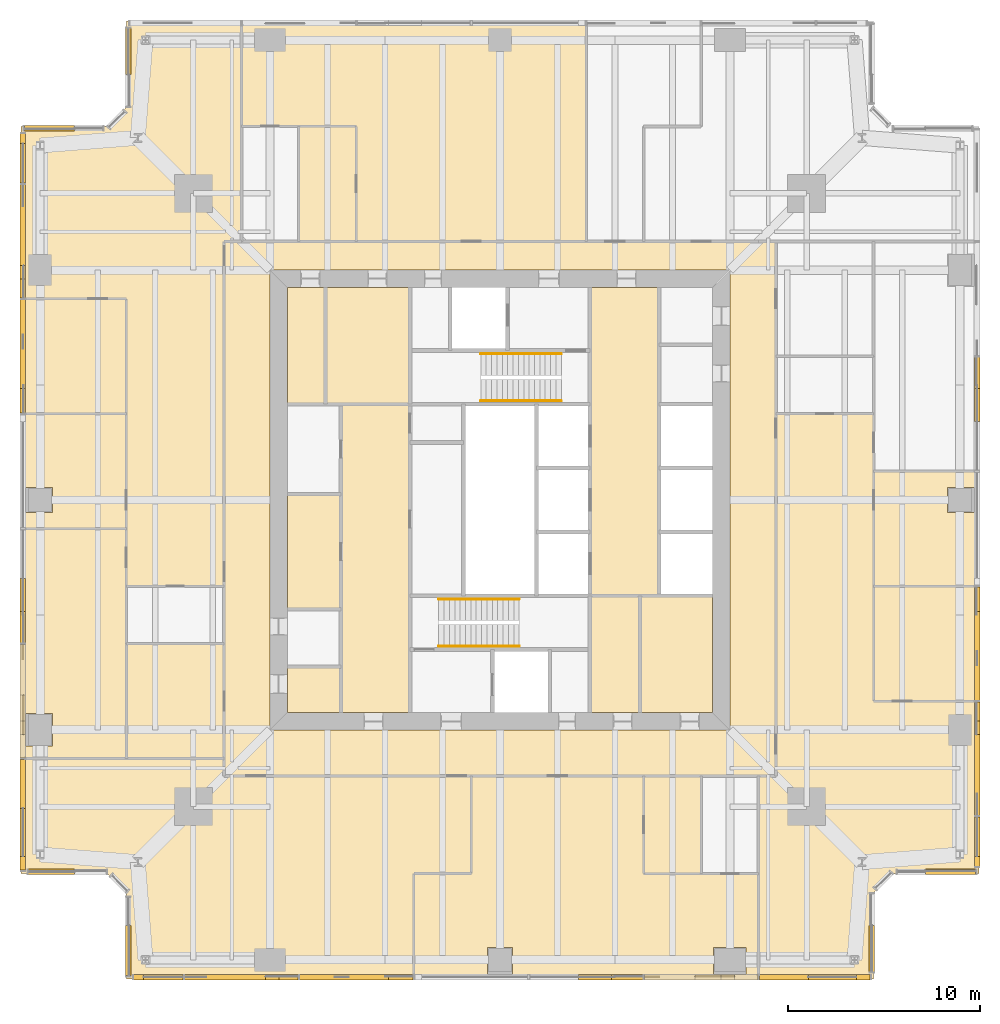
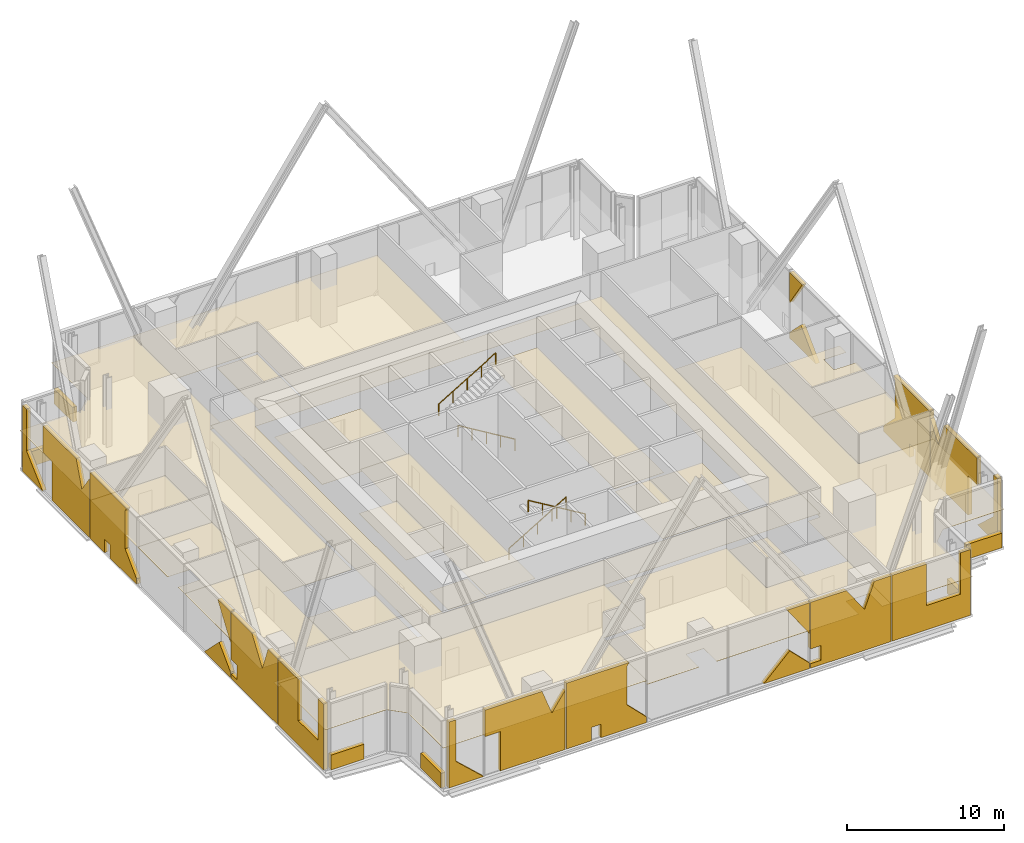
# One storey, part 13 of 14: 47 coverings, 4 railings.
"""IFC4 building model written with IfcOpenShell, lengths in metres."""

import ifcopenshell
import ifcopenshell.guid

model = None  # the IFC model being written
_history = None  # IfcOwnerHistory: only IFC2X3 demands one
_inside = {}  # id of a spatial element -> (the spatial element, [elements in it])
_under = {}  # id of a project, library or spatial element -> (it, [spatial elements below it])
_declared = {}  # id of a project -> (the project, [libraries it declares])
_typed = {}  # id of a type object -> (the type object, [elements of that type])
_made_of = {}  # id of a material, layer set ... -> (it, [elements and type objects made of it])


def new_model(schema):
    """Start an empty IFC model of exactly this schema.

    Asked for "IFC4X3", IfcOpenShell would pick the latest addendum, in which some entities
    have other attributes; the version numbers below select the first issue.
    IFC2X3 requires an IfcOwnerHistory on every rooted entity: one is made here for all.
    """
    global model, _history
    if schema == "IFC4X3":
        model = ifcopenshell.file(schema_version=(4, 3, 0, 0))
    else:
        model = ifcopenshell.file(schema=schema)
    _inside.clear()
    _under.clear()
    _declared.clear()
    _typed.clear()
    _made_of.clear()
    _history = None
    if model.schema == "IFC2X3":
        org = make("IfcOrganization", Name="unknown")
        user = make(
            "IfcPersonAndOrganization",
            ThePerson=make("IfcPerson", FamilyName="unknown"),
            TheOrganization=org,
        )
        app = make(
            "IfcApplication",
            ApplicationDeveloper=org,
            Version="unknown",
            ApplicationFullName="unknown",
            ApplicationIdentifier="unknown",
        )
        _history = make(
            "IfcOwnerHistory",
            OwningUser=user,
            OwningApplication=app,
            ChangeAction="ADDED",
            CreationDate=0,
        )
    return model


def make(cls, **values):
    """One entity of the class cls with the attributes given. An attribute that is None is left unset."""
    return model.create_entity(
        cls, **{name: value for name, value in values.items() if value is not None}
    )


def rooted(cls, **values):
    """An entity with a GlobalId (a new one), such as an element, a storey or a relation."""
    return make(cls, GlobalId=ifcopenshell.guid.new(), OwnerHistory=_history, **values)


def si_unit(unit_type, name, prefix=None):
    """IfcSIUnit, for example si_unit("LENGTHUNIT", "METRE", prefix="MILLI")."""
    return make("IfcSIUnit", UnitType=unit_type, Prefix=prefix, Name=name)


def assignment(units):
    """IfcUnitAssignment: the units of a project."""
    return None if units is None else make("IfcUnitAssignment", Units=units)


def point(xyz):
    """IfcCartesianPoint."""
    return None if xyz is None else make("IfcCartesianPoint", Coordinates=xyz)


def direction(xyz):
    """IfcDirection."""
    return None if xyz is None else make("IfcDirection", DirectionRatios=xyz)


def frame(location, z_axis=None, x_axis=None):
    """IfcAxis2Placement3D, a coordinate frame: its origin and axes. An axis left out is left unset."""
    return make(
        "IfcAxis2Placement3D",
        Location=point(location),
        Axis=direction(z_axis),
        RefDirection=direction(x_axis),
    )


def frame_2d(location, x_axis=None):
    """IfcAxis2Placement2D, a coordinate frame in the plane: its origin and x axis."""
    return make(
        "IfcAxis2Placement2D", Location=point(location), RefDirection=direction(x_axis)
    )


def origin():
    """The frame at (0, 0, 0) with its axes left unset."""
    return frame((0.0, 0.0, 0.0))


def origin_2d():
    """The frame at (0, 0) in the plane with its x axis left unset."""
    return frame_2d((0.0, 0.0))


def place(relative_to, where):
    """IfcLocalPlacement: puts the frame where relative to a parent placement (None: the world)."""
    return make(
        "IfcLocalPlacement", PlacementRelTo=relative_to, RelativePlacement=where
    )


def context(
    kind, dimensions, precision=None, world=None, true_north=None, identifier=None
):
    """IfcGeometricRepresentationContext, for example the 3D "Model" context."""
    return make(
        "IfcGeometricRepresentationContext",
        ContextIdentifier=identifier,
        ContextType=kind,
        CoordinateSpaceDimension=dimensions,
        Precision=precision,
        WorldCoordinateSystem=world,
        TrueNorth=true_north,
    )


def subcontext(parent, identifier, kind, view, scale=None):
    """IfcGeometricRepresentationSubContext, for example "Body" below "Model"."""
    return make(
        "IfcGeometricRepresentationSubContext",
        ContextIdentifier=identifier,
        ContextType=kind,
        ParentContext=parent,
        TargetScale=scale,
        TargetView=view,
    )


def project(units=None, contexts=None):
    """IfcProject with its units and contexts."""
    return rooted(
        "IfcProject",
        Name="project",
        RepresentationContexts=contexts,
        UnitsInContext=assignment(units),
    )


def spatial(cls, under=None, at=None, **own):
    """A site, building, storey or space (cls), placed at a placement, below another one or the project."""
    s = rooted(cls, ObjectPlacement=at, **own)
    if under is not None:
        _under.setdefault(under.id(), (under, []))[1].append(s)
    return s


def polyline(points):
    """IfcPolyline through the points."""
    return make("IfcPolyline", Points=[point(p) for p in points])


def profile(cls, at=None, kind="AREA", **sizes):
    """A parametric profile (cls). Its sizes go by their IFC names, for example OverallWidth=200.0."""
    return make(cls, ProfileType=kind, Position=at, **sizes)


def circle(**sizes):
    """IfcCircleProfileDef."""
    return profile("IfcCircleProfileDef", **sizes)


def outline(outer, holes=None, kind="AREA"):
    """IfcArbitraryClosedProfileDef: a profile drawn as a closed curve; with holes, ...WithVoids."""
    if holes is None:
        return make("IfcArbitraryClosedProfileDef", ProfileType=kind, OuterCurve=outer)
    return make(
        "IfcArbitraryProfileDefWithVoids",
        ProfileType=kind,
        OuterCurve=outer,
        InnerCurves=holes,
    )


def extrude(swept, where, along, depth):
    """IfcExtrudedAreaSolid: the profile swept, set in the frame where, extruded along a direction by depth."""
    return make(
        "IfcExtrudedAreaSolid",
        SweptArea=swept,
        Position=where,
        ExtrudedDirection=direction(along),
        Depth=depth,
    )


def shape(context_of_items, identifier, shape_type, items):
    """IfcShapeRepresentation: the items that make up one representation, for example the "Body"."""
    return make(
        "IfcShapeRepresentation",
        ContextOfItems=context_of_items,
        RepresentationIdentifier=identifier,
        RepresentationType=shape_type,
        Items=items,
    )


def material(Name=None, Category=None):
    """IfcMaterial."""
    return make("IfcMaterial", Name=Name, Category=Category)


def layer(
    of_material, thickness, ventilated=None, Name=None, Category=None, Priority=None
):
    """IfcMaterialLayer: one layer of a wall or slab, of a material (None: an air gap)."""
    return make(
        "IfcMaterialLayer",
        Material=of_material,
        LayerThickness=thickness,
        IsVentilated=ventilated,
        Name=Name,
        Category=Category,
        Priority=Priority,
    )


def layer_set(layers, Name=None):
    """IfcMaterialLayerSet."""
    return make("IfcMaterialLayerSet", MaterialLayers=layers, LayerSetName=Name)


def made_of(thing, what):
    """Note that an element or type object is made of a material, layer set ...; save() writes the relation."""
    if what is not None:
        _made_of.setdefault(what.id(), (what, []))[1].append(thing)
    return thing


def type_object(cls, material=None, **own):
    """A type object (cls), such as IfcWallType, which elements share."""
    return made_of(rooted(cls, **own), material)


def element(
    cls,
    number,
    at=None,
    inside=None,
    cuts=None,
    type_object=None,
    material=None,
    context=None,
    identifier="Body",
    shape_type=None,
    held_by="IfcProductDefinitionShape",
    body=None,
    shapes=None,
    **own,
):
    """One element of the class cls, such as IfcWall. Its Tag is "e" and its number.

    at: its placement. inside: the storey or other place that contains it. cuts: it is an
    opening in that element (IfcRelVoidsElement). A single representation is given by context,
    identifier, shape_type and body (its items); several are given by shapes. held_by: the class
    of the entity that holds the representations. save() writes the other relations.
    """
    e = rooted(cls, Tag="e%d" % number, ObjectPlacement=at, **own)
    if body is not None:
        shapes = [shape(context, identifier, shape_type, body)]
    if shapes is not None:
        e.Representation = make(held_by, Representations=shapes)
    if inside is not None:
        _inside.setdefault(inside.id(), (inside, []))[1].append(e)
    if cuts is not None:
        rooted(
            "IfcRelVoidsElement", RelatingBuildingElement=cuts, RelatedOpeningElement=e
        )
    if type_object is not None:
        _typed.setdefault(type_object.id(), (type_object, []))[1].append(e)
    return made_of(e, material)


def aggregate(whole, parts):
    """IfcRelAggregates: a whole, such as a stair, and the parts it consists of."""
    return rooted("IfcRelAggregates", RelatingObject=whole, RelatedObjects=parts)


def save(model, path):
    """Write the relations noted so far, then the file.

    IfcRelAggregates (storeys below a building ...), IfcRelContainedInSpatialStructure (elements
    in a storey), IfcRelDefinesByType, IfcRelAssociatesMaterial and IfcRelDeclares: one each for
    every whole, place, type object, material and project.
    """
    for whole, parts in _under.values():
        aggregate(whole, parts)
    for where, things in _inside.values():
        rooted(
            "IfcRelContainedInSpatialStructure",
            RelatedElements=things,
            RelatingStructure=where,
        )
    for kind, things in _typed.values():
        rooted("IfcRelDefinesByType", RelatedObjects=things, RelatingType=kind)
    for what, things in _made_of.values():
        rooted("IfcRelAssociatesMaterial", RelatedObjects=things, RelatingMaterial=what)
    for by, libraries in _declared.values():
        rooted("IfcRelDeclares", RelatingContext=by, RelatedDefinitions=libraries)
    model.write(path)


model = new_model("IFC4")

# Units and contexts
model_context = context("Model", 3, precision=1e-05, world=origin(), true_north=direction((0.0, 1.0)))
body_context = subcontext(model_context, "Body", "Model", "MODEL_VIEW")
ifc_project = project(units=[si_unit("LENGTHUNIT", "METRE"), si_unit("AREAUNIT", "SQUARE_METRE"), si_unit("VOLUMEUNIT", "CUBIC_METRE"), si_unit("PLANEANGLEUNIT", "RADIAN"), si_unit("MASSUNIT", "GRAM", prefix="KILO")], contexts=[model_context])

# Site, building, storey
site_placement = place(None, origin())
site = spatial("IfcSite", under=ifc_project, at=site_placement, CompositionType="ELEMENT")
building_placement = place(site_placement, origin())
building = spatial("IfcBuilding", under=site, at=building_placement, Name="Fenwick Lantern Interchange", CompositionType="ELEMENT")
storey_placement = place(building_placement, frame((0.0, 0.0, 168.39990234375)))
storey = spatial("IfcBuildingStorey", under=building, at=storey_placement, Name="L39", CompositionType="ELEMENT", Elevation=168.39990234375)

# Coverings
ifc_material_1 = material(Name="Mineral fibre acoustic tile on suspended grid")
ifc_layer_1 = layer(ifc_material_1, 0.02001953125)
ifc_layer_set_1 = layer_set([ifc_layer_1], Name="ACOUSTIC TILE CEILING 20")
covering_type_1 = type_object("IfcCoveringType", Name="ACOUSTIC TILE CEILING 20", PredefinedType="CEILING", material=ifc_layer_set_1)
covering_1_placement = place(storey_placement, frame((0.0, 0.0, 2.900146484375)))
element("IfcCovering", 1, at=covering_1_placement, inside=storey, type_object=covering_type_1, Name="Business centre ceiling", PredefinedType="CEILING", context=body_context, shape_type="SweptSolid", body=[
    extrude(outline(polyline([(23.5, 10.60009765625), (23.5, 5.5), (20.5, 5.5), (20.5, 0.0), (24.35009765625, 0.0), (24.35009765625, 1.64990234375), (25.64990234375, 1.64990234375), (25.64990234375, 0.0), (36.14990234375, 0.0), (36.14990234375, 1.64990234375), (37.85009765625, 1.64990234375), (37.85009765625, 0.0), (38.5, 0.0), (38.5, 5.5), (32.5, 5.5), (32.5, 10.60009765625), (23.5, 10.60009765625)])), origin(), (0.0, 0.0, 1.0), 0.02001953125),
])
covering_2_placement = place(storey_placement, frame((0.0, 0.0, 2.900146484375)))
element("IfcCovering", 2, at=covering_2_placement, inside=storey, type_object=covering_type_1, Name="Office suite ceiling", PredefinedType="CEILING", context=body_context, shape_type="SweptSolid", body=[
    extrude(outline(polyline([(44.5, 0.0), (44.5, 4.5), (45.5, 5.5), (50.0, 5.5), (50.0, 14.5), (44.5, 14.5), (44.5, 29.5), (39.39990234375, 29.5), (39.39990234375, 10.60009765625), (38.5, 10.60009765625), (38.5, 0.0), (44.5, 0.0)])), origin(), (0.0, 0.0, 1.0), 0.02001953125),
])
covering_3_placement = place(storey_placement, frame((0.0, 0.0, 2.900146484375)))
element("IfcCovering", 3, at=covering_3_placement, inside=storey, type_object=covering_type_1, Name="Meeting room ceiling", PredefinedType="CEILING", context=body_context, shape_type="SweptSolid", body=[
    extrude(outline(polyline([(50.0, 14.5), (50.0, 20.5), (44.5, 20.5), (44.5, 14.5), (50.0, 14.5)])), origin(), (0.0, 0.0, 1.0), 0.02001953125),
])
covering_4_placement = place(storey_placement, frame((0.0, 0.0, 2.900146484375)))
element("IfcCovering", 4, at=covering_4_placement, inside=storey, type_object=covering_type_1, Name="Meeting room ceiling", PredefinedType="CEILING", context=body_context, shape_type="SweptSolid", body=[
    extrude(outline(polyline([(50.0, 20.5), (50.0, 24.35009765625), (48.35009765625, 24.35009765625), (48.35009765625, 25.64990234375), (50.0, 25.64990234375), (50.0, 26.5), (44.5, 26.5), (44.5, 20.5), (50.0, 20.5)])), origin(), (0.0, 0.0, 1.0), 0.02001953125),
])
covering_5_placement = place(storey_placement, frame((0.0, 0.0, 2.900146484375)))
element("IfcCovering", 5, at=covering_5_placement, inside=storey, type_object=covering_type_1, Name="Open office ceiling", PredefinedType="CEILING", context=body_context, shape_type="SweptSolid", body=[
    extrude(outline(polyline([(29.5, 50.0), (11.5, 50.0), (11.5, 44.5), (17.5, 44.5), (17.5, 38.5), (29.5, 38.5), (29.5, 50.0)])), origin(), (0.0, 0.0, 1.0), 0.02001953125),
])
covering_6_placement = place(storey_placement, frame((0.0, 0.0, 2.900146484375)))
element("IfcCovering", 6, at=covering_6_placement, inside=storey, type_object=covering_type_1, Name="Office suite ceiling", PredefinedType="CEILING", context=body_context, shape_type="SweptSolid", body=[
    extrude(outline(polyline([(5.5, 50.0), (5.5, 45.5), (4.5, 44.5), (0.0, 44.5), (0.0, 35.5), (5.5, 35.5), (5.5, 20.5), (10.60009765625, 20.5), (10.60009765625, 38.5), (11.5, 38.5), (11.5, 50.0), (5.5, 50.0)])), origin(), (0.0, 0.0, 1.0), 0.02001953125),
])
covering_7_placement = place(storey_placement, frame((0.0, 0.0, 2.900146484375)))
element("IfcCovering", 7, at=covering_7_placement, inside=storey, type_object=covering_type_1, Name="Meeting room ceiling", PredefinedType="CEILING", context=body_context, shape_type="SweptSolid", body=[
    extrude(outline(polyline([(0.0, 35.5), (0.0, 29.5), (5.5, 29.5), (5.5, 35.5), (0.0, 35.5)])), origin(), (0.0, 0.0, 1.0), 0.02001953125),
])
covering_8_placement = place(storey_placement, frame((0.0, 0.0, 2.900146484375)))
element("IfcCovering", 8, at=covering_8_placement, inside=storey, type_object=covering_type_1, Name="Meeting room ceiling", PredefinedType="CEILING", context=body_context, shape_type="SweptSolid", body=[
    extrude(outline(polyline([(0.0, 29.5), (0.0, 25.64990234375), (1.64990234375, 25.64990234375), (1.64990234375, 24.35009765625), (0.0, 24.35009765625), (0.0, 23.5), (5.5, 23.5), (5.5, 29.5), (0.0, 29.5)])), origin(), (0.0, 0.0, 1.0), 0.02001953125),
])
covering_9_placement = place(storey_placement, frame((0.0, 0.0, 2.900146484375)))
element("IfcCovering", 9, at=covering_9_placement, inside=storey, type_object=covering_type_1, Name="Meeting room ceiling", PredefinedType="CEILING", context=body_context, shape_type="SweptSolid", body=[
    extrude(outline(polyline([(5.5, 23.5), (0.0, 23.5), (0.0, 13.85009765625), (1.64990234375, 13.85009765625), (1.64990234375, 12.14990234375), (0.0, 12.14990234375), (0.0, 11.5), (5.5, 11.5), (5.5, 23.5)])), origin(), (0.0, 0.0, 1.0), 0.02001953125),
])
covering_10_placement = place(storey_placement, frame((0.0, 0.0, 2.7001953125)))
element("IfcCovering", 10, at=covering_10_placement, inside=storey, type_object=covering_type_1, Name="Mail room ceiling", PredefinedType="CEILING", context=body_context, shape_type="SweptSolid", body=[
    extrude(outline(polyline([(5.5, 17.5), (5.5, 11.5), (10.60009765625, 11.5), (10.60009765625, 17.5), (5.5, 17.5)])), origin(), (0.0, 0.0, 1.0), 0.02001953125),
])
ifc_material_2 = material(Name="Granite cladding, warm grey flamed finish, on aluminium carrier frame", Category="masonry")
ifc_layer_2 = layer(ifc_material_2, 0.300048828125)
ifc_layer_set_2 = layer_set([ifc_layer_2], Name="BRACE CASING PANEL 300")
covering_type_2 = type_object("IfcCoveringType", Name="BRACE CASING PANEL 300", PredefinedType="CLADDING", material=ifc_layer_set_2)
covering_11_placement = place(storey_placement, frame((5.60009765625, 0.10009765625, 0.0), z_axis=(0.0, 0.0, 1.0), x_axis=(1.0, 0.0, 0.0)))
element("IfcCovering", 11, at=covering_11_placement, inside=storey, type_object=covering_type_2, Name="Brace casing 01 bay 00a", PredefinedType="CLADDING", context=body_context, shape_type="SweptSolid", body=[
    extrude(outline(polyline([(0.280029296875, 0.0), (2.849609375, 0.0), (0.79833984375, 1.8935546875), (0.79833984375, 5.130126953125), (0.280029296875, 5.130126953125), (0.280029296875, 0.0)])), frame((0.0, 0.14990234375, 0.0), z_axis=(0.0, -1.0, 0.0), x_axis=(1.0, 0.0, 0.0)), (0.0, 0.0, 1.0), 0.300048828125),
])
covering_12_placement = place(storey_placement, frame((5.60009765625, 0.10009765625, 0.0), z_axis=(0.0, 0.0, 1.0), x_axis=(1.0, 0.0, 0.0)))
element("IfcCovering", 12, at=covering_12_placement, inside=storey, type_object=covering_type_2, Name="Brace casing 01 bay 01a", PredefinedType="CLADDING", context=body_context, shape_type="SweptSolid", body=[
    extrude(outline(polyline([(4.080078125, 0.0), (8.860107421875, 0.0), (8.860107421875, 4.61279296875), (7.878662109375, 3.182373046875), (7.15478515625, 5.130126953125), (2.93994140625, 5.130126953125), (2.93994140625, 3.069580078125), (4.080078125, 3.069580078125), (4.080078125, 0.0)])), frame((0.0, 0.14990234375, 0.0), z_axis=(0.0, -1.0, 0.0), x_axis=(1.0, 0.0, 0.0)), (0.0, 0.0, 1.0), 0.300048828125),
])
covering_13_placement = place(storey_placement, frame((5.60009765625, 0.10009765625, 0.0), z_axis=(0.0, 0.0, 1.0), x_axis=(1.0, 0.0, 0.0)))
element("IfcCovering", 13, at=covering_13_placement, inside=storey, type_object=covering_type_2, Name="Brace casing 01 bay 02a", PredefinedType="CLADDING", context=body_context, shape_type="SweptSolid", body=[
    extrude(outline(polyline([(8.93994140625, 0.0), (10.781005859375, 0.0), (10.781005859375, 1.049560546875), (11.5009765625, 1.049560546875), (11.5009765625, 0.0), (14.860107421875, 0.0), (14.860107421875, 0.435546875), (13.39990234375, 1.895751953125), (13.39990234375, 4.866943359375), (13.58056640625, 5.130126953125), (8.93994140625, 5.130126953125), (8.93994140625, 0.0)])), frame((0.0, 0.14990234375, 0.0), z_axis=(0.0, -1.0, 0.0), x_axis=(1.0, 0.0, 0.0)), (0.0, 0.0, 1.0), 0.300048828125),
])
covering_14_placement = place(storey_placement, frame((5.60009765625, 0.10009765625, 0.0), z_axis=(0.0, 0.0, 1.0), x_axis=(1.0, 0.0, 0.0)))
element("IfcCovering", 14, at=covering_14_placement, inside=storey, type_object=covering_type_2, Name="Brace casing 01 bay 04a", PredefinedType="CLADDING", context=body_context, shape_type="SweptSolid", body=[
    extrude(outline(polyline([(23.50439453125, 0.0), (26.860107421875, 0.0), (26.860107421875, 0.435546875), (25.39990234375, 1.895751953125), (23.50439453125, 0.0)])), frame((0.0, 0.14990234375, 0.0), z_axis=(0.0, -1.0, 0.0), x_axis=(1.0, 0.0, 0.0)), (0.0, 0.0, 1.0), 0.300048828125),
])
covering_15_placement = place(storey_placement, frame((5.60009765625, 0.10009765625, 2.73876953125), z_axis=(0.0, 0.0, 1.0), x_axis=(1.0, 0.0, 0.0)))
element("IfcCovering", 15, at=covering_15_placement, inside=storey, type_object=covering_type_2, Name="Brace casing 01 bay 04b", PredefinedType="CLADDING", context=body_context, shape_type="SweptSolid", body=[
    extrude(outline(polyline([(26.860107421875, 0.0), (26.860107421875, 2.391357421875), (25.219482421875, 2.391357421875), (26.860107421875, 0.0)])), frame((0.0, 0.14990234375, 0.0), z_axis=(0.0, -1.0, 0.0), x_axis=(1.0, 0.0, 0.0)), (0.0, 0.0, 1.0), 0.300048828125),
])
covering_16_placement = place(storey_placement, frame((5.60009765625, 0.10009765625, 0.0), z_axis=(0.0, 0.0, 1.0), x_axis=(1.0, 0.0, 0.0)))
element("IfcCovering", 16, at=covering_16_placement, inside=storey, type_object=covering_type_2, Name="Brace casing 01 bay 05a", PredefinedType="CLADDING", context=body_context, shape_type="SweptSolid", body=[
    extrude(outline(polyline([(26.93994140625, 0.0), (32.860107421875, 0.0), (32.860107421875, 5.130126953125), (31.645263671875, 5.130126953125), (30.92138671875, 3.182373046875), (29.585205078125, 5.130126953125), (26.93994140625, 5.130126953125), (26.93994140625, 1.492431640625), (27.715087890625, 1.492431640625), (27.715087890625, 0.355712890625), (26.93994140625, 0.355712890625), (26.93994140625, 0.0)])), frame((0.0, 0.14990234375, 0.0), z_axis=(0.0, -1.0, 0.0), x_axis=(1.0, 0.0, 0.0)), (0.0, 0.0, 1.0), 0.300048828125),
])
covering_17_placement = place(storey_placement, frame((5.60009765625, 0.10009765625, 0.0), z_axis=(0.0, 0.0, 1.0), x_axis=(1.0, 0.0, 0.0)))
element("IfcCovering", 17, at=covering_17_placement, inside=storey, type_object=covering_type_2, Name="Brace casing 01 bay 06a", PredefinedType="CLADDING", context=body_context, shape_type="SweptSolid", body=[
    extrude(outline(polyline([(32.93994140625, 0.0), (38.719970703125, 0.0), (38.719970703125, 5.130126953125), (38.001708984375, 5.130126953125), (38.001708984375, 1.8935546875), (35.4892578125, 1.8935546875), (35.4892578125, 5.130126953125), (32.93994140625, 5.130126953125), (32.93994140625, 0.0)])), frame((0.0, 0.14990234375, 0.0), z_axis=(0.0, -1.0, 0.0), x_axis=(1.0, 0.0, 0.0)), (0.0, 0.0, 1.0), 0.300048828125),
])
covering_18_placement = place(storey_placement, frame((44.39990234375, 0.10009765625, 0.0), z_axis=(0.0, 0.0, 1.0), x_axis=(0.0, 1.0, 0.0)))
element("IfcCovering", 18, at=covering_18_placement, inside=storey, type_object=covering_type_2, Name="Brace casing 02 bay 00a", PredefinedType="CLADDING", context=body_context, shape_type="SweptSolid", body=[
    extrude(outline(polyline([(0.280029296875, 0.0), (2.699951171875, 0.0), (2.699951171875, 1.150146484375), (0.280029296875, 1.150146484375), (0.280029296875, 0.0)])), frame((0.0, 0.14990234375, 0.0), z_axis=(0.0, -1.0, 0.0), x_axis=(1.0, 0.0, 0.0)), (0.0, 0.0, 1.0), 0.300048828125),
])
covering_19_placement = place(storey_placement, frame((45.45849609375, 5.60009765625, 0.0), z_axis=(0.0, 0.0, 1.0), x_axis=(1.0, 0.0, 0.0)))
element("IfcCovering", 19, at=covering_19_placement, inside=storey, type_object=covering_type_2, Name="Brace casing 04 bay 00a", PredefinedType="CLADDING", context=body_context, shape_type="SweptSolid", body=[
    extrude(outline(polyline([(1.741455078125, 0.0), (4.361328125, 0.0), (4.361328125, 1.150146484375), (1.741455078125, 1.150146484375), (1.741455078125, 0.0)])), frame((0.0, 0.14990234375, 0.0), z_axis=(0.0, -1.0, 0.0), x_axis=(1.0, 0.0, 0.0)), (0.0, 0.0, 1.0), 0.300048828125),
])
covering_20_placement = place(storey_placement, frame((49.89990234375, 5.60009765625, 0.0), z_axis=(0.0, 0.0, 1.0), x_axis=(0.0, 1.0, 0.0)))
element("IfcCovering", 20, at=covering_20_placement, inside=storey, type_object=covering_type_2, Name="Brace casing 05 bay 00a", PredefinedType="CLADDING", context=body_context, shape_type="SweptSolid", body=[
    extrude(outline(polyline([(0.280029296875, 0.0), (2.849609375, 0.0), (0.79833984375, 1.8935546875), (0.79833984375, 5.130126953125), (0.280029296875, 5.130126953125), (0.280029296875, 0.0)])), frame((0.0, 0.14990234375, 0.0), z_axis=(0.0, -1.0, 0.0), x_axis=(1.0, 0.0, 0.0)), (0.0, 0.0, 1.0), 0.300048828125),
])
covering_21_placement = place(storey_placement, frame((49.89990234375, 5.60009765625, 0.0), z_axis=(0.0, 0.0, 1.0), x_axis=(0.0, 1.0, 0.0)))
element("IfcCovering", 21, at=covering_21_placement, inside=storey, type_object=covering_type_2, Name="Brace casing 05 bay 01a", PredefinedType="CLADDING", context=body_context, shape_type="SweptSolid", body=[
    extrude(outline(polyline([(4.080078125, 0.0), (8.860107421875, 0.0), (8.860107421875, 4.61279296875), (7.878662109375, 3.182373046875), (7.15478515625, 5.130126953125), (2.93994140625, 5.130126953125), (2.93994140625, 3.069580078125), (4.080078125, 3.069580078125), (4.080078125, 0.0)])), frame((0.0, 0.14990234375, 0.0), z_axis=(0.0, -1.0, 0.0), x_axis=(1.0, 0.0, 0.0)), (0.0, 0.0, 1.0), 0.300048828125),
])
covering_22_placement = place(storey_placement, frame((49.89990234375, 5.60009765625, 0.0), z_axis=(0.0, 0.0, 1.0), x_axis=(0.0, 1.0, 0.0)))
element("IfcCovering", 22, at=covering_22_placement, inside=storey, type_object=covering_type_2, Name="Brace casing 05 bay 02a", PredefinedType="CLADDING", context=body_context, shape_type="SweptSolid", body=[
    extrude(outline(polyline([(8.93994140625, 0.0), (10.781005859375, 0.0), (10.781005859375, 1.049560546875), (11.5009765625, 1.049560546875), (11.5009765625, 0.0), (14.860107421875, 0.0), (14.860107421875, 0.435546875), (13.39990234375, 1.895751953125), (13.39990234375, 4.866943359375), (13.58056640625, 5.130126953125), (8.93994140625, 5.130126953125), (8.93994140625, 0.0)])), frame((0.0, 0.14990234375, 0.0), z_axis=(0.0, -1.0, 0.0), x_axis=(1.0, 0.0, 0.0)), (0.0, 0.0, 1.0), 0.300048828125),
])
covering_23_placement = place(storey_placement, frame((49.89990234375, 5.60009765625, 0.0), z_axis=(0.0, 0.0, 1.0), x_axis=(0.0, 1.0, 0.0)))
element("IfcCovering", 23, at=covering_23_placement, inside=storey, type_object=covering_type_2, Name="Brace casing 05 bay 04a", PredefinedType="CLADDING", context=body_context, shape_type="SweptSolid", body=[
    extrude(outline(polyline([(23.50439453125, 0.0), (26.860107421875, 0.0), (26.860107421875, 0.435546875), (25.39990234375, 1.895751953125), (23.50439453125, 0.0)])), frame((0.0, 0.14990234375, 0.0), z_axis=(0.0, -1.0, 0.0), x_axis=(1.0, 0.0, 0.0)), (0.0, 0.0, 1.0), 0.300048828125),
])
covering_24_placement = place(storey_placement, frame((49.89990234375, 5.60009765625, 2.73876953125), z_axis=(0.0, 0.0, 1.0), x_axis=(0.0, 1.0, 0.0)))
element("IfcCovering", 24, at=covering_24_placement, inside=storey, type_object=covering_type_2, Name="Brace casing 05 bay 04b", PredefinedType="CLADDING", context=body_context, shape_type="SweptSolid", body=[
    extrude(outline(polyline([(26.860107421875, 0.0), (26.860107421875, 2.391357421875), (25.219482421875, 2.391357421875), (26.860107421875, 0.0)])), frame((0.0, 0.14990234375, 0.0), z_axis=(0.0, -1.0, 0.0), x_axis=(1.0, 0.0, 0.0)), (0.0, 0.0, 1.0), 0.300048828125),
])
covering_25_placement = place(storey_placement, frame((5.60009765625, 49.89990234375, 0.0), z_axis=(0.0, 0.0, 1.0), x_axis=(0.0, -1.0, 0.0)))
element("IfcCovering", 25, at=covering_25_placement, inside=storey, type_object=covering_type_2, Name="Brace casing 10 bay 00a", PredefinedType="CLADDING", context=body_context, shape_type="SweptSolid", body=[
    extrude(outline(polyline([(0.280029296875, 0.0), (2.699951171875, 0.0), (2.699951171875, 1.150146484375), (0.280029296875, 1.150146484375), (0.280029296875, 0.0)])), frame((0.0, 0.14990234375, 0.0), z_axis=(0.0, -1.0, 0.0), x_axis=(1.0, 0.0, 0.0)), (0.0, 0.0, 1.0), 0.300048828125),
])
covering_26_placement = place(storey_placement, frame((4.54150390625, 44.39990234375, 0.0), z_axis=(0.0, 0.0, 1.0), x_axis=(-1.0, 0.0, 0.0)))
element("IfcCovering", 26, at=covering_26_placement, inside=storey, type_object=covering_type_2, Name="Brace casing 12 bay 00a", PredefinedType="CLADDING", context=body_context, shape_type="SweptSolid", body=[
    extrude(outline(polyline([(1.741455078125, 0.0), (4.361328125, 0.0), (4.361328125, 1.150146484375), (1.741455078125, 1.150146484375), (1.741455078125, 0.0)])), frame((0.0, 0.14990234375, 0.0), z_axis=(0.0, -1.0, 0.0), x_axis=(1.0, 0.0, 0.0)), (0.0, 0.0, 1.0), 0.300048828125),
])
covering_27_placement = place(storey_placement, frame((0.10009765625, 44.39990234375, 0.0), z_axis=(0.0, 0.0, 1.0), x_axis=(0.0, -1.0, 0.0)))
element("IfcCovering", 27, at=covering_27_placement, inside=storey, type_object=covering_type_2, Name="Brace casing 13 bay 00a", PredefinedType="CLADDING", context=body_context, shape_type="SweptSolid", body=[
    extrude(outline(polyline([(0.280029296875, 0.0), (2.849609375, 0.0), (0.79833984375, 1.8935546875), (0.79833984375, 5.130126953125), (0.280029296875, 5.130126953125), (0.280029296875, 0.0)])), frame((0.0, 0.14990234375, 0.0), z_axis=(0.0, -1.0, 0.0), x_axis=(1.0, 0.0, 0.0)), (0.0, 0.0, 1.0), 0.300048828125),
])
covering_28_placement = place(storey_placement, frame((0.10009765625, 44.39990234375, 0.0), z_axis=(0.0, 0.0, 1.0), x_axis=(0.0, -1.0, 0.0)))
element("IfcCovering", 28, at=covering_28_placement, inside=storey, type_object=covering_type_2, Name="Brace casing 13 bay 01a", PredefinedType="CLADDING", context=body_context, shape_type="SweptSolid", body=[
    extrude(outline(polyline([(4.080078125, 0.0), (8.860107421875, 0.0), (8.860107421875, 4.61279296875), (7.878662109375, 3.182373046875), (7.15478515625, 5.130126953125), (2.93994140625, 5.130126953125), (2.93994140625, 3.069580078125), (4.080078125, 3.069580078125), (4.080078125, 0.0)])), frame((0.0, 0.14990234375, 0.0), z_axis=(0.0, -1.0, 0.0), x_axis=(1.0, 0.0, 0.0)), (0.0, 0.0, 1.0), 0.300048828125),
])
covering_29_placement = place(storey_placement, frame((0.10009765625, 44.39990234375, 0.0), z_axis=(0.0, 0.0, 1.0), x_axis=(0.0, -1.0, 0.0)))
element("IfcCovering", 29, at=covering_29_placement, inside=storey, type_object=covering_type_2, Name="Brace casing 13 bay 02a", PredefinedType="CLADDING", context=body_context, shape_type="SweptSolid", body=[
    extrude(outline(polyline([(8.93994140625, 0.0), (10.781005859375, 0.0), (10.781005859375, 1.049560546875), (11.5009765625, 1.049560546875), (11.5009765625, 0.0), (14.860107421875, 0.0), (14.860107421875, 0.435546875), (13.39990234375, 1.895751953125), (13.39990234375, 4.866943359375), (13.58056640625, 5.130126953125), (8.93994140625, 5.130126953125), (8.93994140625, 0.0)])), frame((0.0, 0.14990234375, 0.0), z_axis=(0.0, -1.0, 0.0), x_axis=(1.0, 0.0, 0.0)), (0.0, 0.0, 1.0), 0.300048828125),
])
covering_30_placement = place(storey_placement, frame((0.10009765625, 44.39990234375, 0.0), z_axis=(0.0, 0.0, 1.0), x_axis=(0.0, -1.0, 0.0)))
element("IfcCovering", 30, at=covering_30_placement, inside=storey, type_object=covering_type_2, Name="Brace casing 13 bay 04a", PredefinedType="CLADDING", context=body_context, shape_type="SweptSolid", body=[
    extrude(outline(polyline([(23.50439453125, 0.0), (26.860107421875, 0.0), (26.860107421875, 0.435546875), (25.39990234375, 1.895751953125), (23.50439453125, 0.0)])), frame((0.0, 0.14990234375, 0.0), z_axis=(0.0, -1.0, 0.0), x_axis=(1.0, 0.0, 0.0)), (0.0, 0.0, 1.0), 0.300048828125),
])
covering_31_placement = place(storey_placement, frame((0.10009765625, 44.39990234375, 2.73876953125), z_axis=(0.0, 0.0, 1.0), x_axis=(0.0, -1.0, 0.0)))
element("IfcCovering", 31, at=covering_31_placement, inside=storey, type_object=covering_type_2, Name="Brace casing 13 bay 04b", PredefinedType="CLADDING", context=body_context, shape_type="SweptSolid", body=[
    extrude(outline(polyline([(26.860107421875, 0.0), (26.860107421875, 2.391357421875), (25.219482421875, 2.391357421875), (26.860107421875, 0.0)])), frame((0.0, 0.14990234375, 0.0), z_axis=(0.0, -1.0, 0.0), x_axis=(1.0, 0.0, 0.0)), (0.0, 0.0, 1.0), 0.300048828125),
])
covering_32_placement = place(storey_placement, frame((0.10009765625, 44.39990234375, 0.0), z_axis=(0.0, 0.0, 1.0), x_axis=(0.0, -1.0, 0.0)))
element("IfcCovering", 32, at=covering_32_placement, inside=storey, type_object=covering_type_2, Name="Brace casing 13 bay 05a", PredefinedType="CLADDING", context=body_context, shape_type="SweptSolid", body=[
    extrude(outline(polyline([(26.93994140625, 0.0), (32.860107421875, 0.0), (32.860107421875, 5.130126953125), (31.645263671875, 5.130126953125), (30.92138671875, 3.182373046875), (29.585205078125, 5.130126953125), (26.93994140625, 5.130126953125), (26.93994140625, 1.492431640625), (27.715087890625, 1.492431640625), (27.715087890625, 0.355712890625), (26.93994140625, 0.355712890625), (26.93994140625, 0.0)])), frame((0.0, 0.14990234375, 0.0), z_axis=(0.0, -1.0, 0.0), x_axis=(1.0, 0.0, 0.0)), (0.0, 0.0, 1.0), 0.300048828125),
])
covering_33_placement = place(storey_placement, frame((0.10009765625, 44.39990234375, 0.0), z_axis=(0.0, 0.0, 1.0), x_axis=(0.0, -1.0, 0.0)))
element("IfcCovering", 33, at=covering_33_placement, inside=storey, type_object=covering_type_2, Name="Brace casing 13 bay 06a", PredefinedType="CLADDING", context=body_context, shape_type="SweptSolid", body=[
    extrude(outline(polyline([(32.93994140625, 0.0), (38.719970703125, 0.0), (38.719970703125, 5.130126953125), (38.001708984375, 5.130126953125), (38.001708984375, 1.8935546875), (35.4892578125, 1.8935546875), (35.4892578125, 5.130126953125), (32.93994140625, 5.130126953125), (32.93994140625, 0.0)])), frame((0.0, 0.14990234375, 0.0), z_axis=(0.0, -1.0, 0.0), x_axis=(1.0, 0.0, 0.0)), (0.0, 0.0, 1.0), 0.300048828125),
])
covering_34_placement = place(storey_placement, frame((0.10009765625, 5.60009765625, 0.0), z_axis=(0.0, 0.0, 1.0), x_axis=(1.0, 0.0, 0.0)))
element("IfcCovering", 34, at=covering_34_placement, inside=storey, type_object=covering_type_2, Name="Brace casing 14 bay 00a", PredefinedType="CLADDING", context=body_context, shape_type="SweptSolid", body=[
    extrude(outline(polyline([(0.280029296875, 0.0), (2.699951171875, 0.0), (2.699951171875, 1.150146484375), (0.280029296875, 1.150146484375), (0.280029296875, 0.0)])), frame((0.0, 0.14990234375, 0.0), z_axis=(0.0, -1.0, 0.0), x_axis=(1.0, 0.0, 0.0)), (0.0, 0.0, 1.0), 0.300048828125),
])
covering_35_placement = place(storey_placement, frame((5.60009765625, 4.54150390625, 0.0), z_axis=(0.0, 0.0, 1.0), x_axis=(0.0, -1.0, 0.0)))
element("IfcCovering", 35, at=covering_35_placement, inside=storey, type_object=covering_type_2, Name="Brace casing 16 bay 00a", PredefinedType="CLADDING", context=body_context, shape_type="SweptSolid", body=[
    extrude(outline(polyline([(1.741455078125, 0.0), (4.361328125, 0.0), (4.361328125, 1.150146484375), (1.741455078125, 1.150146484375), (1.741455078125, 0.0)])), frame((0.0, 0.14990234375, 0.0), z_axis=(0.0, -1.0, 0.0), x_axis=(1.0, 0.0, 0.0)), (0.0, 0.0, 1.0), 0.300048828125),
])

# Railings
ifc_material_3 = material(Name="Stainless steel handrail", Category="steel")
railing_type = type_object("IfcRailingType", Name="HANDRAIL 900", PredefinedType="HANDRAIL", material=ifc_material_3)
railing_1_placement = place(storey_placement, frame((21.800048828125, 19.825927734375, 0.1689453125)))
element("IfcRailing", 36, at=railing_1_placement, inside=storey, type_object=railing_type, Name="L39/STAIR/ST1/HR1", PredefinedType="HANDRAIL", context=body_context, shape_type="SweptSolid", body=[
    extrude(circle(Radius=0.02392578125, at=origin_2d()), frame((0.0, 0.0, 0.8759765625), z_axis=(0.856476492594, 0.0, 0.516186030065), x_axis=(0.0, 1.0, 0.0)), (0.0, 0.0, 1.0), 4.90380859375),
    extrude(circle(Radius=0.02099609375, at=origin_2d()), origin(), (0.0, 0.0, 1.0), 0.851806640625),
    extrude(circle(Radius=0.02099609375, at=origin_2d()), frame((1.050048828125, 0.0, 0.6328125)), (0.0, 0.0, 1.0), 0.851806640625),
    extrude(circle(Radius=0.02099609375, at=origin_2d()), frame((2.10009765625, 0.0, 1.265625)), (0.0, 0.0, 1.0), 0.851806640625),
    extrude(circle(Radius=0.02099609375, at=origin_2d()), frame((3.14990234375, 0.0, 1.8984375)), (0.0, 0.0, 1.0), 0.851806640625),
    extrude(circle(Radius=0.02099609375, at=origin_2d()), frame((4.199951171875, 0.0, 2.53125)), (0.0, 0.0, 1.0), 0.851806640625),
])
for number, where, name in (
    (37, (26.0, 17.3740234375, 2.868896484375), "L39/STAIR/ST1/HR2"),
    (38, (28.199951171875, 30.174072265625, 0.1689453125), "L39/STAIR/ST2/HR1"),
):
    element("IfcRailing", number, at=place(storey_placement, frame(where)), inside=storey, type_object=railing_type, Name=name, PredefinedType="HANDRAIL", context=body_context, shape_type="SweptSolid", body=[
        extrude(circle(Radius=0.02392578125, at=origin_2d()), frame((0.0, 0.0, 0.8759765625), z_axis=(-0.856476492594, 0.0, 0.516186030065), x_axis=(0.0, -1.0, 0.0)), (0.0, 0.0, 1.0), 4.90380859375),
        extrude(circle(Radius=0.02099609375, at=origin_2d()), origin(), (0.0, 0.0, 1.0), 0.851806640625),
        extrude(circle(Radius=0.02099609375, at=origin_2d()), frame((-1.050048828125, 0.0, 0.6328125)), (0.0, 0.0, 1.0), 0.851806640625),
        extrude(circle(Radius=0.02099609375, at=origin_2d()), frame((-2.10009765625, 0.0, 1.265625)), (0.0, 0.0, 1.0), 0.851806640625),
        extrude(circle(Radius=0.02099609375, at=origin_2d()), frame((-3.14990234375, 0.0, 1.8984375)), (0.0, 0.0, 1.0), 0.851806640625),
        extrude(circle(Radius=0.02099609375, at=origin_2d()), frame((-4.199951171875, 0.0, 2.53125)), (0.0, 0.0, 1.0), 0.851806640625),
    ])
railing_2_placement = place(storey_placement, frame((24.0, 32.6259765625, 2.868896484375)))
element("IfcRailing", 39, at=railing_2_placement, inside=storey, type_object=railing_type, Name="L39/STAIR/ST2/HR2", PredefinedType="HANDRAIL", context=body_context, shape_type="SweptSolid", body=[
    extrude(circle(Radius=0.02392578125, at=origin_2d()), frame((0.0, 0.0, 0.8759765625), z_axis=(0.856476492594, 0.0, 0.516186030065), x_axis=(0.0, 1.0, 0.0)), (0.0, 0.0, 1.0), 4.90380859375),
    extrude(circle(Radius=0.02099609375, at=origin_2d()), origin(), (0.0, 0.0, 1.0), 0.851806640625),
    extrude(circle(Radius=0.02099609375, at=origin_2d()), frame((1.050048828125, 0.0, 0.6328125)), (0.0, 0.0, 1.0), 0.851806640625),
    extrude(circle(Radius=0.02099609375, at=origin_2d()), frame((2.10009765625, 0.0, 1.265625)), (0.0, 0.0, 1.0), 0.851806640625),
    extrude(circle(Radius=0.02099609375, at=origin_2d()), frame((3.14990234375, 0.0, 1.8984375)), (0.0, 0.0, 1.0), 0.851806640625),
    extrude(circle(Radius=0.02099609375, at=origin_2d()), frame((4.199951171875, 0.0, 2.53125)), (0.0, 0.0, 1.0), 0.851806640625),
])

# Coverings
ifc_material_4 = material(Name="Moisture resistant gypsum board on suspended frame, painted")
ifc_layer_3 = layer(ifc_material_4, 0.014892578125)
ifc_layer_set_3 = layer_set([ifc_layer_3], Name="MOISTURE RESISTANT CEILING 15")
covering_type_3 = type_object("IfcCoveringType", Name="MOISTURE RESISTANT CEILING 15", PredefinedType="CEILING", material=ifc_layer_set_3)
covering_36_placement = place(storey_placement, frame((0.0, 0.0, 2.60009765625)))
element("IfcCovering", 40, at=covering_36_placement, inside=storey, type_object=covering_type_3, Name="Men's WC ceiling", PredefinedType="CEILING", context=body_context, shape_type="SweptSolid", body=[
    extrude(outline(polyline([(29.699951171875, 13.89990234375), (32.300048828125, 13.89990234375), (32.300048828125, 20.0), (29.699951171875, 20.0), (29.699951171875, 13.89990234375)])), origin(), (0.0, 0.0, 1.0), 0.014892578125),
])
covering_37_placement = place(storey_placement, frame((0.0, 0.0, 2.60009765625)))
element("IfcCovering", 41, at=covering_37_placement, inside=storey, type_object=covering_type_3, Name="Women's WC ceiling", PredefinedType="CEILING", context=body_context, shape_type="SweptSolid", body=[
    extrude(outline(polyline([(32.300048828125, 13.89990234375), (36.10009765625, 13.89990234375), (36.10009765625, 20.0), (32.300048828125, 20.0), (32.300048828125, 13.89990234375)])), origin(), (0.0, 0.0, 1.0), 0.014892578125),
])
covering_38_placement = place(storey_placement, frame((0.0, 0.0, 2.60009765625)))
element("IfcCovering", 42, at=covering_38_placement, inside=storey, type_object=covering_type_3, Name="Accessible WC ceiling", PredefinedType="CEILING", context=body_context, shape_type="SweptSolid", body=[
    extrude(outline(polyline([(13.89990234375, 13.89990234375), (16.699951171875, 13.89990234375), (16.699951171875, 16.300048828125), (13.89990234375, 16.300048828125), (13.89990234375, 13.89990234375)])), origin(), (0.0, 0.0, 1.0), 0.014892578125),
])
covering_39_placement = place(storey_placement, frame((0.0, 0.0, 2.60009765625)))
element("IfcCovering", 43, at=covering_39_placement, inside=storey, type_object=covering_type_3, Name="Women's WC ceiling", PredefinedType="CEILING", context=body_context, shape_type="SweptSolid", body=[
    extrude(outline(polyline([(20.300048828125, 36.10009765625), (15.89990234375, 36.10009765625), (15.89990234375, 30.0), (20.300048828125, 30.0), (20.300048828125, 36.10009765625)])), origin(), (0.0, 0.0, 1.0), 0.014892578125),
])
covering_40_placement = place(storey_placement, frame((0.0, 0.0, 2.60009765625)))
element("IfcCovering", 44, at=covering_40_placement, inside=storey, type_object=covering_type_3, Name="Men's WC ceiling", PredefinedType="CEILING", context=body_context, shape_type="SweptSolid", body=[
    extrude(outline(polyline([(15.89990234375, 36.10009765625), (13.89990234375, 36.10009765625), (13.89990234375, 30.0), (15.89990234375, 30.0), (15.89990234375, 36.10009765625)])), origin(), (0.0, 0.0, 1.0), 0.014892578125),
])
covering_41_placement = place(storey_placement, frame((0.0, 0.0, 2.7001953125)))
element("IfcCovering", 45, at=covering_41_placement, inside=storey, type_object=covering_type_3, Name="Pantry ceiling", PredefinedType="CEILING", context=body_context, shape_type="SweptSolid", body=[
    extrude(outline(polyline([(32.5, 5.5), (35.5, 5.5), (35.5, 10.60009765625), (32.5, 10.60009765625), (32.5, 5.5)])), origin(), (0.0, 0.0, 1.0), 0.014892578125),
])
covering_42_placement = place(storey_placement, frame((0.0, 0.0, 2.7001953125)))
element("IfcCovering", 46, at=covering_42_placement, inside=storey, type_object=covering_type_3, Name="Pantry ceiling", PredefinedType="CEILING", context=body_context, shape_type="SweptSolid", body=[
    extrude(outline(polyline([(17.5, 44.5), (14.5, 44.5), (14.5, 38.5), (17.5, 38.5), (17.5, 44.5)])), origin(), (0.0, 0.0, 1.0), 0.014892578125),
])
ifc_material_5 = material(Name="Gypsum plasterboard on suspended frame, painted")
ifc_layer_4 = layer(ifc_material_5, 0.014892578125)
ifc_layer_set_4 = layer_set([ifc_layer_4], Name="PLASTERBOARD CEILING 15")
covering_type_4 = type_object("IfcCoveringType", Name="PLASTERBOARD CEILING 15", PredefinedType="CEILING", material=ifc_layer_set_4)
covering_43_placement = place(storey_placement, frame((0.0, 0.0, 2.800048828125)))
element("IfcCovering", 47, at=covering_43_placement, inside=storey, type_object=covering_type_4, Name="Lift lobby ceiling", PredefinedType="CEILING", context=body_context, shape_type="SweptSolid", body=[
    extrude(outline(polyline([(16.699951171875, 13.89990234375), (20.300048828125, 13.89990234375), (20.300048828125, 30.0), (16.699951171875, 30.0), (16.699951171875, 13.89990234375)])), origin(), (0.0, 0.0, 1.0), 0.01513671875),
])
covering_44_placement = place(storey_placement, frame((0.0, 0.0, 3.2001953125)))
element("IfcCovering", 48, at=covering_44_placement, inside=storey, type_object=covering_type_4, Name="Sky lobby store ceiling", PredefinedType="CEILING", context=body_context, shape_type="SweptSolid", body=[
    extrude(outline(polyline([(13.89990234375, 19.300048828125), (16.699951171875, 19.300048828125), (16.699951171875, 25.300048828125), (13.89990234375, 25.300048828125), (13.89990234375, 19.300048828125)])), origin(), (0.0, 0.0, 1.0), 0.014892578125),
])
covering_45_placement = place(storey_placement, frame((0.0, 0.0, 2.800048828125)))
element("IfcCovering", 49, at=covering_45_placement, inside=storey, type_object=covering_type_4, Name="Lift lobby ceiling", PredefinedType="CEILING", context=body_context, shape_type="SweptSolid", body=[
    extrude(outline(polyline([(33.300048828125, 36.10009765625), (29.699951171875, 36.10009765625), (29.699951171875, 20.0), (33.300048828125, 20.0), (33.300048828125, 36.10009765625)])), origin(), (0.0, 0.0, 1.0), 0.01513671875),
])
covering_46_placement = place(storey_placement, frame((0.0, 0.0, 3.2001953125)))
element("IfcCovering", 50, at=covering_46_placement, inside=storey, type_object=covering_type_4, Name="Sky lobby ceiling", PredefinedType="CEILING", context=body_context, shape_type="SweptSolid", body=[
    extrude(outline(polyline([(10.60009765625, 10.60009765625), (39.39990234375, 10.60009765625), (39.39990234375, 38.5), (10.60009765625, 38.5), (10.60009765625, 10.60009765625)]), holes=[polyline([(13.0, 13.0), (13.0, 37.0), (37.0, 37.0), (37.0, 13.0), (13.0, 13.0)])]), origin(), (0.0, 0.0, 1.0), 0.014892578125),
])
covering_47_placement = place(storey_placement, frame((0.0, 0.0, 3.2001953125)))
element("IfcCovering", 51, at=covering_47_placement, inside=storey, type_object=covering_type_4, Name="Arrival lounge ceiling", PredefinedType="CEILING", context=body_context, shape_type="SweptSolid", body=[
    extrude(outline(polyline([(20.5, 0.0), (20.5, 5.5), (23.5, 5.5), (23.5, 10.60009765625), (10.60009765625, 10.60009765625), (10.60009765625, 11.5), (0.0, 11.5), (0.0, 5.5), (4.5, 5.5), (5.5, 4.5), (5.5, 0.0), (20.5, 0.0)])), origin(), (0.0, 0.0, 1.0), 0.014892578125),
])

save(model, "model.ifc")
